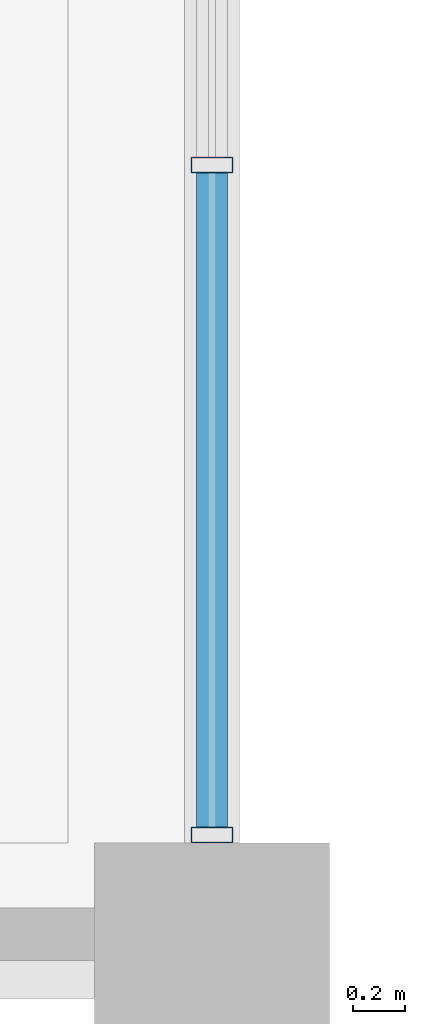
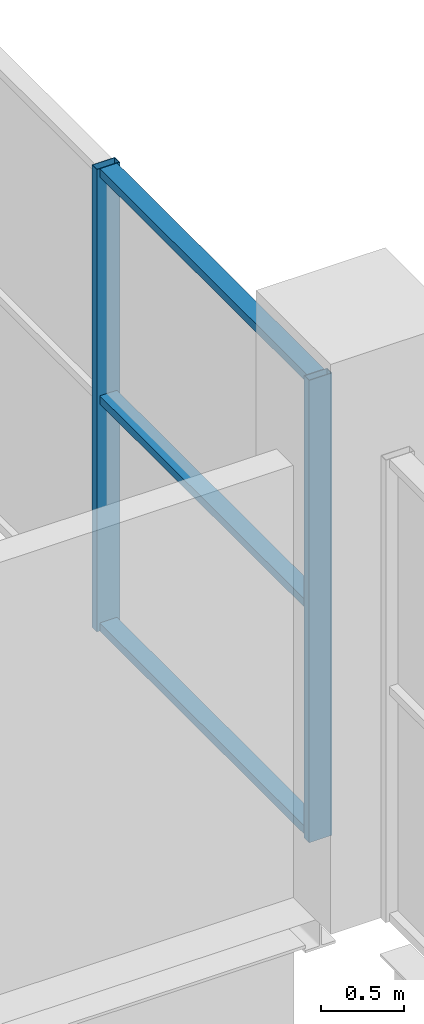
# One storey, part 49 of 93: 5 members, 1 element without a shape of its own.
"""IFC4 building model written with IfcOpenShell, lengths in metres."""

import ifcopenshell
import ifcopenshell.guid

model = None  # the IFC model being written
_history = None  # IfcOwnerHistory: only IFC2X3 demands one
_inside = {}  # id of a spatial element -> (the spatial element, [elements in it])
_under = {}  # id of a project, library or spatial element -> (it, [spatial elements below it])
_declared = {}  # id of a project -> (the project, [libraries it declares])
_typed = {}  # id of a type object -> (the type object, [elements of that type])
_made_of = {}  # id of a material, layer set ... -> (it, [elements and type objects made of it])


def new_model(schema):
    """Start an empty IFC model of exactly this schema.

    Asked for "IFC4X3", IfcOpenShell would pick the latest addendum, in which some entities
    have other attributes; the version numbers below select the first issue.
    IFC2X3 requires an IfcOwnerHistory on every rooted entity: one is made here for all.
    """
    global model, _history
    if schema == "IFC4X3":
        model = ifcopenshell.file(schema_version=(4, 3, 0, 0))
    else:
        model = ifcopenshell.file(schema=schema)
    _inside.clear()
    _under.clear()
    _declared.clear()
    _typed.clear()
    _made_of.clear()
    _history = None
    if model.schema == "IFC2X3":
        org = make("IfcOrganization", Name="unknown")
        user = make(
            "IfcPersonAndOrganization",
            ThePerson=make("IfcPerson", FamilyName="unknown"),
            TheOrganization=org,
        )
        app = make(
            "IfcApplication",
            ApplicationDeveloper=org,
            Version="unknown",
            ApplicationFullName="unknown",
            ApplicationIdentifier="unknown",
        )
        _history = make(
            "IfcOwnerHistory",
            OwningUser=user,
            OwningApplication=app,
            ChangeAction="ADDED",
            CreationDate=0,
        )
    return model


def make(cls, **values):
    """One entity of the class cls with the attributes given. An attribute that is None is left unset."""
    return model.create_entity(
        cls, **{name: value for name, value in values.items() if value is not None}
    )


def rooted(cls, **values):
    """An entity with a GlobalId (a new one), such as an element, a storey or a relation."""
    return make(cls, GlobalId=ifcopenshell.guid.new(), OwnerHistory=_history, **values)


def si_unit(unit_type, name, prefix=None):
    """IfcSIUnit, for example si_unit("LENGTHUNIT", "METRE", prefix="MILLI")."""
    return make("IfcSIUnit", UnitType=unit_type, Prefix=prefix, Name=name)


def assignment(units):
    """IfcUnitAssignment: the units of a project."""
    return None if units is None else make("IfcUnitAssignment", Units=units)


def point(xyz):
    """IfcCartesianPoint."""
    return None if xyz is None else make("IfcCartesianPoint", Coordinates=xyz)


def direction(xyz):
    """IfcDirection."""
    return None if xyz is None else make("IfcDirection", DirectionRatios=xyz)


def frame(location, z_axis=None, x_axis=None):
    """IfcAxis2Placement3D, a coordinate frame: its origin and axes. An axis left out is left unset."""
    return make(
        "IfcAxis2Placement3D",
        Location=point(location),
        Axis=direction(z_axis),
        RefDirection=direction(x_axis),
    )


def frame_2d(location, x_axis=None):
    """IfcAxis2Placement2D, a coordinate frame in the plane: its origin and x axis."""
    return make(
        "IfcAxis2Placement2D", Location=point(location), RefDirection=direction(x_axis)
    )


def origin():
    """The frame at (0, 0, 0) with its axes left unset."""
    return frame((0.0, 0.0, 0.0))


def origin_2d():
    """The frame at (0, 0) in the plane with its x axis left unset."""
    return frame_2d((0.0, 0.0))


def place(relative_to, where):
    """IfcLocalPlacement: puts the frame where relative to a parent placement (None: the world)."""
    return make(
        "IfcLocalPlacement", PlacementRelTo=relative_to, RelativePlacement=where
    )


def context(
    kind, dimensions, precision=None, world=None, true_north=None, identifier=None
):
    """IfcGeometricRepresentationContext, for example the 3D "Model" context."""
    return make(
        "IfcGeometricRepresentationContext",
        ContextIdentifier=identifier,
        ContextType=kind,
        CoordinateSpaceDimension=dimensions,
        Precision=precision,
        WorldCoordinateSystem=world,
        TrueNorth=true_north,
    )


def subcontext(parent, identifier, kind, view, scale=None):
    """IfcGeometricRepresentationSubContext, for example "Body" below "Model"."""
    return make(
        "IfcGeometricRepresentationSubContext",
        ContextIdentifier=identifier,
        ContextType=kind,
        ParentContext=parent,
        TargetScale=scale,
        TargetView=view,
    )


def project(units=None, contexts=None):
    """IfcProject with its units and contexts."""
    return rooted(
        "IfcProject",
        Name="project",
        RepresentationContexts=contexts,
        UnitsInContext=assignment(units),
    )


def spatial(cls, under=None, at=None, **own):
    """A site, building, storey or space (cls), placed at a placement, below another one or the project."""
    s = rooted(cls, ObjectPlacement=at, **own)
    if under is not None:
        _under.setdefault(under.id(), (under, []))[1].append(s)
    return s


def profile(cls, at=None, kind="AREA", **sizes):
    """A parametric profile (cls). Its sizes go by their IFC names, for example OverallWidth=200.0."""
    return make(cls, ProfileType=kind, Position=at, **sizes)


def hollow_rectangle(**sizes):
    """IfcRectangleHollowProfileDef."""
    return profile("IfcRectangleHollowProfileDef", **sizes)


def extrude(swept, where, along, depth):
    """IfcExtrudedAreaSolid: the profile swept, set in the frame where, extruded along a direction by depth."""
    return make(
        "IfcExtrudedAreaSolid",
        SweptArea=swept,
        Position=where,
        ExtrudedDirection=direction(along),
        Depth=depth,
    )


def shape(context_of_items, identifier, shape_type, items):
    """IfcShapeRepresentation: the items that make up one representation, for example the "Body"."""
    return make(
        "IfcShapeRepresentation",
        ContextOfItems=context_of_items,
        RepresentationIdentifier=identifier,
        RepresentationType=shape_type,
        Items=items,
    )


def material(Name=None, Category=None):
    """IfcMaterial."""
    return make("IfcMaterial", Name=Name, Category=Category)


def material_profile(
    of_material, cross_section, Name=None, Category=None, Priority=None
):
    """IfcMaterialProfile: a cross section and its material."""
    return make(
        "IfcMaterialProfile",
        Name=Name,
        Material=of_material,
        Profile=cross_section,
        Priority=Priority,
        Category=Category,
    )


def profile_set(profiles, Name=None, composite=None):
    """IfcMaterialProfileSet."""
    return make(
        "IfcMaterialProfileSet",
        Name=Name,
        MaterialProfiles=profiles,
        CompositeProfile=composite,
    )


def made_of(thing, what):
    """Note that an element or type object is made of a material, layer set ...; save() writes the relation."""
    if what is not None:
        _made_of.setdefault(what.id(), (what, []))[1].append(thing)
    return thing


def type_object(cls, material=None, **own):
    """A type object (cls), such as IfcWallType, which elements share."""
    return made_of(rooted(cls, **own), material)


def element(
    cls,
    number,
    at=None,
    inside=None,
    cuts=None,
    type_object=None,
    material=None,
    context=None,
    identifier="Body",
    shape_type=None,
    held_by="IfcProductDefinitionShape",
    body=None,
    shapes=None,
    **own,
):
    """One element of the class cls, such as IfcWall. Its Tag is "e" and its number.

    at: its placement. inside: the storey or other place that contains it. cuts: it is an
    opening in that element (IfcRelVoidsElement). A single representation is given by context,
    identifier, shape_type and body (its items); several are given by shapes. held_by: the class
    of the entity that holds the representations. save() writes the other relations.
    """
    e = rooted(cls, Tag="e%d" % number, ObjectPlacement=at, **own)
    if body is not None:
        shapes = [shape(context, identifier, shape_type, body)]
    if shapes is not None:
        e.Representation = make(held_by, Representations=shapes)
    if inside is not None:
        _inside.setdefault(inside.id(), (inside, []))[1].append(e)
    if cuts is not None:
        rooted(
            "IfcRelVoidsElement", RelatingBuildingElement=cuts, RelatedOpeningElement=e
        )
    if type_object is not None:
        _typed.setdefault(type_object.id(), (type_object, []))[1].append(e)
    return made_of(e, material)


def aggregate(whole, parts):
    """IfcRelAggregates: a whole, such as a stair, and the parts it consists of."""
    return rooted("IfcRelAggregates", RelatingObject=whole, RelatedObjects=parts)


def save(model, path):
    """Write the relations noted so far, then the file.

    IfcRelAggregates (storeys below a building ...), IfcRelContainedInSpatialStructure (elements
    in a storey), IfcRelDefinesByType, IfcRelAssociatesMaterial and IfcRelDeclares: one each for
    every whole, place, type object, material and project.
    """
    for whole, parts in _under.values():
        aggregate(whole, parts)
    for where, things in _inside.values():
        rooted(
            "IfcRelContainedInSpatialStructure",
            RelatedElements=things,
            RelatingStructure=where,
        )
    for kind, things in _typed.values():
        rooted("IfcRelDefinesByType", RelatedObjects=things, RelatingType=kind)
    for what, things in _made_of.values():
        rooted("IfcRelAssociatesMaterial", RelatedObjects=things, RelatingMaterial=what)
    for by, libraries in _declared.values():
        rooted("IfcRelDeclares", RelatingContext=by, RelatedDefinitions=libraries)
    model.write(path)


model = new_model("IFC4")

# Units and contexts
model_context = context("Model", 3, precision=1e-05, world=origin(), true_north=direction((0.0, 1.0)))
body_context = subcontext(model_context, "Body", "Model", "MODEL_VIEW")
ifc_project = project(units=[si_unit("LENGTHUNIT", "METRE"), si_unit("AREAUNIT", "SQUARE_METRE"), si_unit("VOLUMEUNIT", "CUBIC_METRE"), si_unit("PLANEANGLEUNIT", "RADIAN"), si_unit("MASSUNIT", "GRAM", prefix="KILO"), si_unit("THERMODYNAMICTEMPERATUREUNIT", "KELVIN")], contexts=[model_context])

# Site, building, storey
site_placement = place(None, origin())
site = spatial("IfcSite", under=ifc_project, at=site_placement, CompositionType="ELEMENT")
building_placement = place(site_placement, origin())
building = spatial("IfcBuilding", under=site, at=building_placement, Name="Nduvali Passage Aquatics Centre", CompositionType="ELEMENT")
storey_placement = place(building_placement, frame((0.0, 0.0, 9.0)))
storey = spatial("IfcBuildingStorey", under=building, at=storey_placement, Name="L02", CompositionType="ELEMENT", Elevation=9.0)

# Curtain wall, members
ifc_material = material(Name="Aluminium EN AW-6063 T6", Category="aluminium")
curtain_wall_type = type_object("IfcCurtainWallType", Name="ENV-CW-PASS", PredefinedType="NOTDEFINED", material=ifc_material)
curtain_wall_placement = place(storey_placement, origin())
curtain_wall = element("IfcCurtainWall", 1, at=curtain_wall_placement, inside=storey, type_object=curtain_wall_type, Name="L02 East Passage Studio CW 118", PredefinedType="NOTDEFINED")
ifc_material_profile_1 = material_profile(ifc_material, hollow_rectangle(XDim=0.06005859375, YDim=0.159912109375, WallThickness=0.00390625, at=origin_2d()), Name="ALU MULLION 60x160x4")
ifc_profile_set_1 = profile_set([ifc_material_profile_1], Name="Aluminium EN AW-6063 T6")
member_type_1 = type_object("IfcMemberType", Name="ENV-MEM-MUL60", PredefinedType="MULLION", material=ifc_profile_set_1)
member_1_placement = place(storey_placement, frame((126.0, 92.8798828125, 0.0), z_axis=(0.0, 0.0, 1.0), x_axis=(0.0, 1.0, 0.0)))
member_1 = element("IfcMember", 2, at=member_1_placement, type_object=member_type_1, Name="East Passage Studio CW Mullion 1", PredefinedType="MULLION", context=body_context, shape_type="SweptSolid", body=[
    extrude(hollow_rectangle(XDim=0.06005859375, YDim=0.159912109375, WallThickness=0.00390625, at=origin_2d()), origin(), (0.0, 0.0, 1.0), 3.406494140625),
])
member_2_placement = place(storey_placement, frame((126.0, 95.441650390625, 0.0), z_axis=(0.0, 0.0, 1.0), x_axis=(0.0, 1.0, 0.0)))
member_2 = element("IfcMember", 3, at=member_2_placement, type_object=member_type_1, Name="East Passage Studio CW Mullion 2", PredefinedType="MULLION", context=body_context, shape_type="SweptSolid", body=[
    extrude(hollow_rectangle(XDim=0.06005859375, YDim=0.159912109375, WallThickness=0.00390625, at=origin_2d()), origin(), (0.0, 0.0, 1.0), 3.406494140625),
])
ifc_material_profile_2 = material_profile(ifc_material, hollow_rectangle(XDim=0.1201171875, YDim=0.06005859375, WallThickness=0.00390625, at=origin_2d()), Name="ALU TRANSOM 120x60x4")
ifc_profile_set_2 = profile_set([ifc_material_profile_2], Name="Aluminium EN AW-6063 T6")
member_type_2 = type_object("IfcMemberType", Name="ENV-MEM-TRN60", PredefinedType="USERDEFINED", material=ifc_profile_set_2)
member_3_placement = place(storey_placement, frame((126.0, 92.909912109375, 0.030029296875), z_axis=(0.0, 1.0, 0.0), x_axis=(-1.0, 0.0, 0.0)))
member_3 = element("IfcMember", 4, at=member_3_placement, type_object=member_type_2, Name="East Passage Studio CW Transom B1-R0", ObjectType="TRANSOM", PredefinedType="USERDEFINED", context=body_context, shape_type="SweptSolid", body=[
    extrude(hollow_rectangle(XDim=0.1201171875, YDim=0.06005859375, WallThickness=0.00390625, at=origin_2d()), origin(), (0.0, 0.0, 1.0), 2.501708984375),
])
member_4_placement = place(storey_placement, frame((126.0, 92.909912109375, 1.703125), z_axis=(0.0, 1.0, 0.0), x_axis=(-1.0, 0.0, 0.0)))
member_4 = element("IfcMember", 5, at=member_4_placement, type_object=member_type_2, Name="East Passage Studio CW Transom B1-R1", ObjectType="TRANSOM", PredefinedType="USERDEFINED", context=body_context, shape_type="SweptSolid", body=[
    extrude(hollow_rectangle(XDim=0.1201171875, YDim=0.06005859375, WallThickness=0.00390625, at=origin_2d()), origin(), (0.0, 0.0, 1.0), 2.501708984375),
])
member_5_placement = place(storey_placement, frame((126.0, 92.909912109375, 3.37646484375), z_axis=(0.0, 1.0, 0.0), x_axis=(-1.0, 0.0, 0.0)))
member_5 = element("IfcMember", 6, at=member_5_placement, type_object=member_type_2, Name="East Passage Studio CW Transom B1-R2", ObjectType="TRANSOM", PredefinedType="USERDEFINED", context=body_context, shape_type="SweptSolid", body=[
    extrude(hollow_rectangle(XDim=0.1201171875, YDim=0.06005859375, WallThickness=0.00390625, at=origin_2d()), origin(), (0.0, 0.0, 1.0), 2.501708984375),
])
aggregate(curtain_wall, [member_1, member_2, member_3, member_4, member_5])

save(model, "model.ifc")
